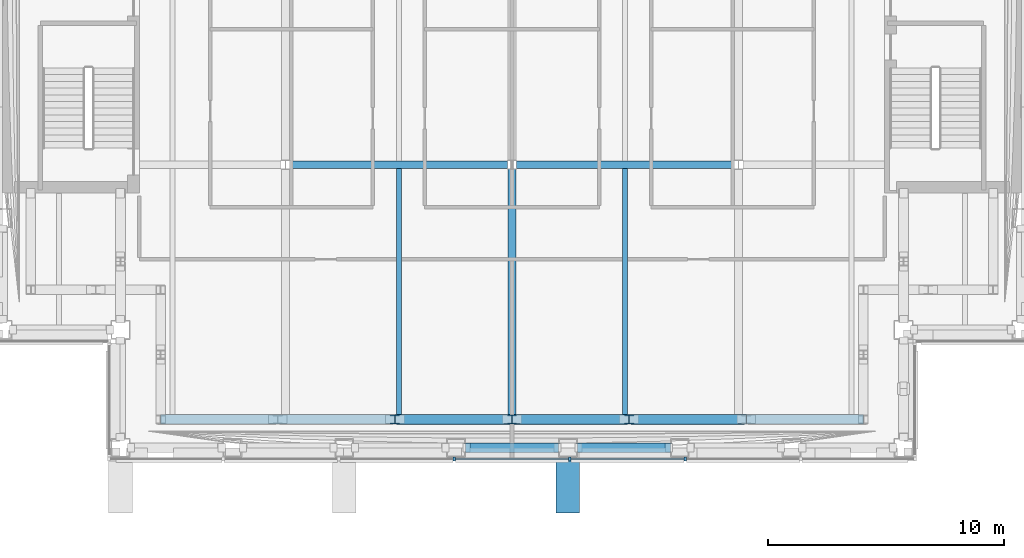
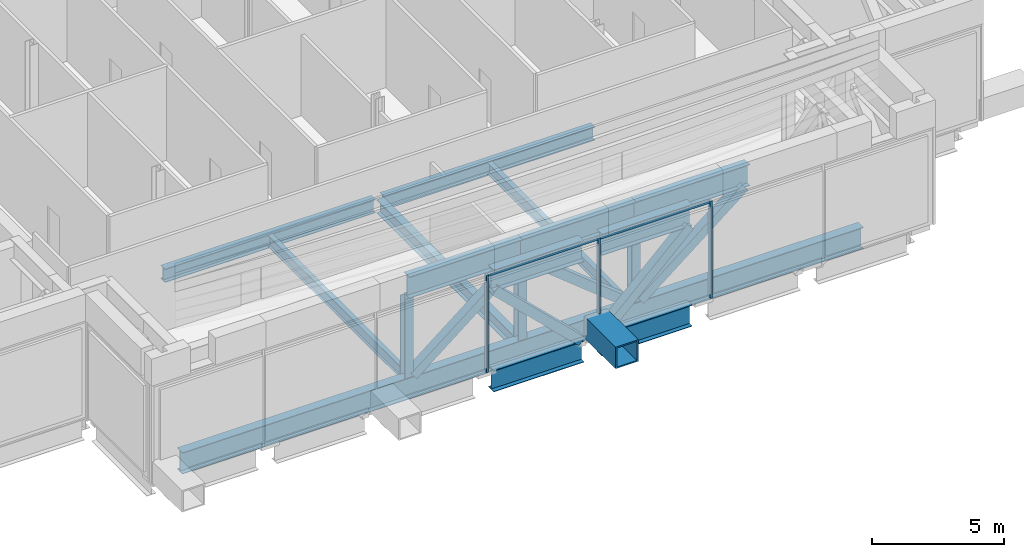
# One storey, part 4 of 29: 21 members, 6 beams, 1 element without a shape of its own.
"""IFC4 building model written with IfcOpenShell, lengths in metres."""

from ifc_helpers import new_model, si_unit, direction, frame, origin, origin_2d, place, context, subcontext, project, spatial, rectangle, hollow_rectangle, i_section, extrude, material, material_profile, profile_set, type_object, element, aggregate, save


model = new_model("IFC4")

# Units and contexts
model_context = context("Model", 3, precision=1e-05, world=origin(), true_north=direction((0.0, 1.0)))
body_context = subcontext(model_context, "Body", "Model", "MODEL_VIEW")
ifc_project = project(units=[si_unit("LENGTHUNIT", "METRE"), si_unit("AREAUNIT", "SQUARE_METRE"), si_unit("VOLUMEUNIT", "CUBIC_METRE"), si_unit("PLANEANGLEUNIT", "RADIAN"), si_unit("MASSUNIT", "GRAM", prefix="KILO")], contexts=[model_context])

# Site, building, storey
site_placement = place(None, origin())
site = spatial("IfcSite", under=ifc_project, at=site_placement, CompositionType="ELEMENT")
building_placement = place(site_placement, origin())
building = spatial("IfcBuilding", under=site, at=building_placement, Name="Cobrizo Arcos Hotel Tower", CompositionType="ELEMENT")
storey_placement = place(building_placement, frame((0.0, 0.0, 186.5)))
storey = spatial("IfcBuildingStorey", under=building, at=storey_placement, Name="L48", CompositionType="ELEMENT", Elevation=186.5)

# Beam
ifc_material_1 = material(Name="Steel ASTM A572 Grade 50", Category="steel")
ifc_material_profile_1 = material_profile(ifc_material_1, hollow_rectangle(XDim=1.0, YDim=1.0, WallThickness=0.06005859375, at=origin_2d()), Name="BOX 1000X1000X60")
ifc_profile_set_1 = profile_set([ifc_material_profile_1], Name="Steel ASTM A572 Grade 50")
beam_type_1 = type_object("IfcBeamType", Name="BOX 1000X1000X60 brace connector strut", PredefinedType="BEAM", material=ifc_profile_set_1)
beam_1_placement = place(storey_placement, frame((2.371337890625, -21.989990234375, 0.5), z_axis=(0.0, -1.0, 0.0), x_axis=(1.0, 0.0, 0.0)))
element("IfcBeam", 1, at=beam_1_placement, inside=storey, type_object=beam_type_1, Name="Perimeter brace stub BS1, zone Z3, south face, offset +2.37 m, L48", PredefinedType="BEAM", context=body_context, shape_type="SweptSolid", body=[
    extrude(hollow_rectangle(XDim=1.0, YDim=1.0, WallThickness=0.06005859375, at=origin_2d()), origin(), (0.0, 0.0, 1.0), 2.380126953125),
])

# Curtain wall, members
ifc_material_2 = material(Name="Aluminium 6063-T6 anodised bronze", Category="aluminium")
curtain_wall_type = type_object("IfcCurtainWallType", Name="CW-D plant louvre wall", PredefinedType="NOTDEFINED", material=ifc_material_2)
curtain_wall_placement = place(storey_placement, origin())
curtain_wall = element("IfcCurtainWall", 2, at=curtain_wall_placement, inside=storey, type_object=curtain_wall_type, Name="CW-D L48 S face", PredefinedType="NOTDEFINED")
ifc_material_profile_2 = material_profile(ifc_material_2, rectangle(XDim=0.14990234375, YDim=0.10009765625, at=origin_2d()), Name="CW-D mullion 150x100")
ifc_profile_set_2 = profile_set([ifc_material_profile_2], Name="Aluminium 6063-T6 anodised bronze")
member_type_1 = type_object("IfcMemberType", Name="CW-D mullion 150x100", PredefinedType="MULLION", material=ifc_profile_set_2)
member_1_placement = place(storey_placement, frame((-2.449951171875, -22.074951171875, 0.0), z_axis=(0.0, 0.0, 1.0), x_axis=(0.0, -1.0, 0.0)))
member_1 = element("IfcMember", 3, at=member_1_placement, type_object=member_type_1, Name="CW-D mullion 4", PredefinedType="MULLION", context=body_context, shape_type="SweptSolid", body=[
    extrude(rectangle(XDim=0.14990234375, YDim=0.10009765625, at=origin_2d()), origin(), (0.0, 0.0, 1.0), 4.5),
])
member_2_placement = place(storey_placement, frame((2.449951171875, -22.074951171875, 0.0), z_axis=(0.0, 0.0, 1.0), x_axis=(0.0, -1.0, 0.0)))
member_2 = element("IfcMember", 4, at=member_2_placement, type_object=member_type_1, Name="CW-D mullion 5", PredefinedType="MULLION", context=body_context, shape_type="SweptSolid", body=[
    extrude(rectangle(XDim=0.14990234375, YDim=0.10009765625, at=origin_2d()), origin(), (0.0, 0.0, 1.0), 4.5),
])
member_3_placement = place(storey_placement, frame((7.35009765625, -22.074951171875, 0.0), z_axis=(0.0, 0.0, 1.0), x_axis=(0.0, -1.0, 0.0)))
member_3 = element("IfcMember", 5, at=member_3_placement, type_object=member_type_1, Name="CW-D mullion 6", PredefinedType="MULLION", context=body_context, shape_type="SweptSolid", body=[
    extrude(rectangle(XDim=0.14990234375, YDim=0.10009765625, at=origin_2d()), origin(), (0.0, 0.0, 1.0), 4.5),
])
ifc_material_profile_3 = material_profile(ifc_material_2, rectangle(XDim=0.10009765625, YDim=0.10009765625, at=origin_2d()), Name="CW-D transom 100x100")
ifc_profile_set_3 = profile_set([ifc_material_profile_3], Name="Aluminium 6063-T6 anodised bronze")
member_type_2 = type_object("IfcMemberType", Name="CW-D transom 100x100", PredefinedType="USERDEFINED", material=ifc_profile_set_3)
member_4_placement = place(storey_placement, frame((-2.39990234375, -22.074951171875, 4.449951171875), z_axis=(1.0, 0.0, 0.0), x_axis=(0.0, 1.0, 0.0)))
member_4 = element("IfcMember", 6, at=member_4_placement, type_object=member_type_2, Name="CW-D transom 1669", ObjectType="TRANSOM", PredefinedType="USERDEFINED", context=body_context, shape_type="SweptSolid", body=[
    extrude(rectangle(XDim=0.10009765625, YDim=0.10009765625, at=origin_2d()), origin(), (0.0, 0.0, 1.0), 4.7998046875),
])
member_5_placement = place(storey_placement, frame((2.5, -22.074951171875, 4.449951171875), z_axis=(1.0, 0.0, 0.0), x_axis=(0.0, 1.0, 0.0)))
member_5 = element("IfcMember", 7, at=member_5_placement, type_object=member_type_2, Name="CW-D transom 1670", ObjectType="TRANSOM", PredefinedType="USERDEFINED", context=body_context, shape_type="SweptSolid", body=[
    extrude(rectangle(XDim=0.10009765625, YDim=0.10009765625, at=origin_2d()), origin(), (0.0, 0.0, 1.0), 4.800048828125),
])
aggregate(curtain_wall, [member_1, member_2, member_3, member_4, member_5])

# Members
ifc_material_3 = material(Name="Steel ASTM A500 Grade C", Category="steel")
ifc_material_profile_4 = material_profile(ifc_material_3, hollow_rectangle(XDim=0.406494140625, YDim=0.406494140625, WallThickness=0.014892578125, at=origin_2d()), Name="HSS16X16X5/8")
ifc_profile_set_4 = profile_set([ifc_material_profile_4], Name="Steel ASTM A500 Grade C")
member_type_3 = type_object("IfcMemberType", Name="HSS16X16X5/8 truss diagonal", PredefinedType="BRACE", material=ifc_profile_set_4)
member_6_placement = place(storey_placement, frame((-1.89111328125, -21.60009765625, 3.359375), z_axis=(0.718677668125, 0.0, -0.695343375131), x_axis=(0.0, 1.0, 0.0)))
element("IfcMember", 8, at=member_6_placement, inside=storey, type_object=member_type_3, Name="Belt truss diagonal TD1, L48, no. 004", PredefinedType="BRACE", context=body_context, shape_type="SweptSolid", body=[
    extrude(hollow_rectangle(XDim=0.406494140625, YDim=0.406494140625, WallThickness=0.014892578125, at=origin_2d()), origin(), (0.0, 0.0, 1.0), 5.2626953125),
])
member_7_placement = place(storey_placement, frame((2.85107421875, -21.60009765625, -0.300048828125), z_axis=(0.718744947416, 0.0, 0.695273831353), x_axis=(0.0, 1.0, 0.0)))
element("IfcMember", 9, at=member_7_placement, inside=storey, type_object=member_type_3, Name="Belt truss diagonal TD1, L48, no. 005", PredefinedType="BRACE", context=body_context, shape_type="SweptSolid", body=[
    extrude(hollow_rectangle(XDim=0.406494140625, YDim=0.406494140625, WallThickness=0.014892578125, at=origin_2d()), origin(), (0.0, 0.0, 1.0), 5.26318359375),
])
for number, where, z_axis, x_axis, name in (
    (10, (-4.76708984375, -20.39990234375, -0.300048828125), (0.780392402879, 0.0, 0.625290090701), (0.0, 1.0, 0.0), "Belt truss diagonal TD1, L48, no. 029"),
    (11, (0.199951171875, -20.39990234375, 3.359375), (0.780392402879, 0.0, -0.625290090701), (0.0, 1.0, 0.0), "Belt truss diagonal TD1, L48, no. 030"),
):
    element("IfcMember", number, at=place(storey_placement, frame(where, z_axis=z_axis, x_axis=x_axis)), inside=storey, type_object=member_type_3, Name=name, PredefinedType="BRACE", context=body_context, shape_type="SweptSolid", body=[
        extrude(hollow_rectangle(XDim=0.406494140625, YDim=0.406494140625, WallThickness=0.014892578125, at=origin_2d()), origin(), (0.0, 0.0, 1.0), 5.852294921875),
    ])
member_8_placement = place(storey_placement, frame((5.1669921875, -20.39990234375, -0.300048828125), z_axis=(0.780310829579, 0.0, 0.625391884534), x_axis=(0.0, 1.0, 0.0)))
element("IfcMember", 12, at=member_8_placement, inside=storey, type_object=member_type_3, Name="Belt truss diagonal TD1, L48, no. 031", PredefinedType="BRACE", context=body_context, shape_type="SweptSolid", body=[
    extrude(hollow_rectangle(XDim=0.406494140625, YDim=0.406494140625, WallThickness=0.014892578125, at=origin_2d()), origin(), (0.0, 0.0, 1.0), 5.851318359375),
])
ifc_material_4 = material(Name="Steel ASTM A992 Grade 50", Category="steel")
ifc_material_profile_5 = material_profile(ifc_material_4, i_section(OverallWidth=0.373291015625, OverallDepth=0.373291015625, WebThickness=0.016357421875, FlangeThickness=0.026123046875, at=origin_2d()), Name="W14X132")
ifc_profile_set_5 = profile_set([ifc_material_profile_5], Name="Steel ASTM A992 Grade 50")
member_type_4 = type_object("IfcMemberType", Name="W14X132 truss post", PredefinedType="POST", material=ifc_profile_set_5)
for number, where, z_axis, x_axis, name in (
    (13, (-4.967041015625, -20.39990234375, -0.300048828125), (0.0, 0.0, 1.0), (1.0, 0.0, 0.0), "Truss post TP1, L48, no. 003"),
    (14, (0.0, -20.39990234375, -0.300048828125), (0.0, 0.0, 1.0), (1.0, 0.0, 0.0), "Truss post TP1, L48, no. 004"),
    (15, (4.967041015625, -20.39990234375, -0.300048828125), (0.0, 0.0, 1.0), (1.0, 0.0, 0.0), "Truss post TP1, L48, no. 005"),
):
    element("IfcMember", number, at=place(storey_placement, frame(where, z_axis=z_axis, x_axis=x_axis)), inside=storey, type_object=member_type_4, Name=name, PredefinedType="POST", context=body_context, shape_type="SweptSolid", body=[
        extrude(i_section(OverallWidth=0.373291015625, OverallDepth=0.373291015625, WebThickness=0.016357421875, FlangeThickness=0.026123046875, at=origin_2d()), origin(), (0.0, 0.0, 1.0), 3.659423828125),
    ])

# Beams
ifc_material_profile_6 = material_profile(ifc_material_4, i_section(OverallWidth=0.209228515625, OverallDepth=0.533447265625, WebThickness=0.01025390625, FlangeThickness=0.015625, at=origin_2d()), Name="W21X62")
ifc_profile_set_6 = profile_set([ifc_material_profile_6], Name="Steel ASTM A992 Grade 50")
beam_type_2 = type_object("IfcBeamType", Name="W21X62 joist", PredefinedType="JOIST", material=ifc_profile_set_6)
for number, where, z_axis, x_axis, name in (
    (16, (-4.800048828125, -20.199462890625, -0.566650390625), (0.0, 1.0, 0.0), (-1.0, 0.0, 0.0), "Floor joist J1, L48, no. 009"),
    (17, (4.800048828125, -20.199462890625, -0.566650390625), (0.0, 1.0, 0.0), (-1.0, 0.0, 0.0), "Floor joist J1, L48, no. 013"),
):
    element("IfcBeam", number, at=place(storey_placement, frame(where, z_axis=z_axis, x_axis=x_axis)), inside=storey, type_object=beam_type_2, Name=name, PredefinedType="JOIST", context=body_context, shape_type="SweptSolid", body=[
        extrude(i_section(OverallWidth=0.209228515625, OverallDepth=0.533447265625, WebThickness=0.01025390625, FlangeThickness=0.015625, at=origin_2d()), origin(), (0.0, 0.0, 1.0), 10.435546875),
    ])
ifc_material_profile_7 = material_profile(ifc_material_4, i_section(OverallWidth=0.32763671875, OverallDepth=0.622314453125, WebThickness=0.015380859375, FlangeThickness=0.0244140625, at=origin_2d()), Name="W24X131")
ifc_profile_set_7 = profile_set([ifc_material_profile_7], Name="Steel ASTM A992 Grade 50")
beam_type_3 = type_object("IfcBeamType", Name="W24X131 girder", PredefinedType="BEAM", material=ifc_profile_set_7)
for number, where, z_axis, x_axis, name in (
    (18, (-9.413330078125, -9.60009765625, -0.611083984375), (1.0, 0.0, 0.0), (0.0, 1.0, 0.0), "Floor girder G1, L48, no. 002"),
    (19, (0.186767578125, -9.60009765625, -0.611083984375), (1.0, 0.0, 0.0), (0.0, 1.0, 0.0), "Floor girder G1, L48, no. 003"),
):
    element("IfcBeam", number, at=place(storey_placement, frame(where, z_axis=z_axis, x_axis=x_axis)), inside=storey, type_object=beam_type_3, Name=name, PredefinedType="BEAM", context=body_context, shape_type="SweptSolid", body=[
        extrude(i_section(OverallWidth=0.32763671875, OverallDepth=0.622314453125, WebThickness=0.015380859375, FlangeThickness=0.0244140625, at=origin_2d()), origin(), (0.0, 0.0, 1.0), 9.2265625),
    ])
beam_2_placement = place(storey_placement, frame((0.0, -20.199462890625, -0.611083984375), z_axis=(0.0, 1.0, 0.0), x_axis=(-1.0, 0.0, 0.0)))
element("IfcBeam", 20, at=beam_2_placement, inside=storey, type_object=beam_type_3, Name="Floor girder G1, L48, no. 017", PredefinedType="BEAM", context=body_context, shape_type="SweptSolid", body=[
    extrude(i_section(OverallWidth=0.32763671875, OverallDepth=0.622314453125, WebThickness=0.015380859375, FlangeThickness=0.0244140625, at=origin_2d()), origin(), (0.0, 0.0, 1.0), 10.412841796875),
])

# Members
ifc_material_profile_8 = material_profile(ifc_material_4, i_section(OverallWidth=0.4013671875, OverallDepth=0.990478515625, WebThickness=0.0166015625, FlangeThickness=0.025390625, at=origin_2d()), Name="W40X215")
ifc_profile_set_8 = profile_set([ifc_material_profile_8], Name="Steel ASTM A992 Grade 50")
member_type_5 = type_object("IfcMemberType", Name="W40X215 belt truss chord", PredefinedType="CHORD", material=ifc_profile_set_8)
member_9_placement = place(storey_placement, frame((-1.970947265625, -21.60009765625, -0.79541015625), z_axis=(1.0, 0.0, 0.0), x_axis=(0.0, 1.0, 0.0)))
element("IfcMember", 21, at=member_9_placement, inside=storey, type_object=member_type_5, Name="Belt truss bottom chord TC1, L48, no. 004", PredefinedType="CHORD", context=body_context, shape_type="SweptSolid", body=[
    extrude(i_section(OverallWidth=0.4013671875, OverallDepth=0.990478515625, WebThickness=0.0166015625, FlangeThickness=0.025390625, at=origin_2d()), origin(), (0.0, 0.0, 1.0), 3.94189453125),
])
member_10_placement = place(storey_placement, frame((2.77099609375, -21.60009765625, -0.79541015625), z_axis=(1.0, 0.0, 0.0), x_axis=(0.0, 1.0, 0.0)))
element("IfcMember", 22, at=member_10_placement, inside=storey, type_object=member_type_5, Name="Belt truss bottom chord TC1, L48, no. 005", PredefinedType="CHORD", context=body_context, shape_type="SweptSolid", body=[
    extrude(i_section(OverallWidth=0.4013671875, OverallDepth=0.990478515625, WebThickness=0.0166015625, FlangeThickness=0.025390625, at=origin_2d()), origin(), (0.0, 0.0, 1.0), 3.943115234375),
])
member_11_placement = place(storey_placement, frame((-1.970947265625, -21.60009765625, 3.854736328125), z_axis=(1.0, 0.0, 0.0), x_axis=(0.0, 1.0, 0.0)))
element("IfcMember", 23, at=member_11_placement, inside=storey, type_object=member_type_5, Name="Belt truss top chord TC1, L48, no. 004", PredefinedType="CHORD", context=body_context, shape_type="SweptSolid", body=[
    extrude(i_section(OverallWidth=0.4013671875, OverallDepth=0.990478515625, WebThickness=0.0166015625, FlangeThickness=0.025390625, at=origin_2d()), origin(), (0.0, 0.0, 1.0), 3.94189453125),
])
member_12_placement = place(storey_placement, frame((2.77099609375, -21.60009765625, 3.854736328125), z_axis=(1.0, 0.0, 0.0), x_axis=(0.0, 1.0, 0.0)))
element("IfcMember", 24, at=member_12_placement, inside=storey, type_object=member_type_5, Name="Belt truss top chord TC1, L48, no. 005", PredefinedType="CHORD", context=body_context, shape_type="SweptSolid", body=[
    extrude(i_section(OverallWidth=0.4013671875, OverallDepth=0.990478515625, WebThickness=0.0166015625, FlangeThickness=0.025390625, at=origin_2d()), origin(), (0.0, 0.0, 1.0), 3.943115234375),
])
member_13_placement = place(storey_placement, frame((-14.89990234375, -20.39990234375, -0.79541015625), z_axis=(1.0, 0.0, 0.0), x_axis=(0.0, 1.0, 0.0)))
element("IfcMember", 25, at=member_13_placement, inside=storey, type_object=member_type_5, Name="Belt truss bottom chord TC1, L48, no. 027", PredefinedType="CHORD", context=body_context, shape_type="SweptSolid", body=[
    extrude(i_section(OverallWidth=0.4013671875, OverallDepth=0.990478515625, WebThickness=0.0166015625, FlangeThickness=0.025390625, at=origin_2d()), origin(), (0.0, 0.0, 1.0), 29.7998046875),
])
for number, where, z_axis, x_axis, name in (
    (26, (-4.967041015625, -20.39990234375, 3.854736328125), (1.0, 0.0, 0.0), (0.0, 1.0, 0.0), "Belt truss top chord TC1, L48, no. 029"),
    (27, (0.0, -20.39990234375, 3.854736328125), (1.0, 0.0, 0.0), (0.0, 1.0, 0.0), "Belt truss top chord TC1, L48, no. 030"),
):
    element("IfcMember", number, at=place(storey_placement, frame(where, z_axis=z_axis, x_axis=x_axis)), inside=storey, type_object=member_type_5, Name=name, PredefinedType="CHORD", context=body_context, shape_type="SweptSolid", body=[
        extrude(i_section(OverallWidth=0.4013671875, OverallDepth=0.990478515625, WebThickness=0.0166015625, FlangeThickness=0.025390625, at=origin_2d()), origin(), (0.0, 0.0, 1.0), 4.967041015625),
    ])
member_14_placement = place(storey_placement, frame((4.967041015625, -20.39990234375, 3.854736328125), z_axis=(1.0, 0.0, 0.0), x_axis=(0.0, 1.0, 0.0)))
element("IfcMember", 28, at=member_14_placement, inside=storey, type_object=member_type_5, Name="Belt truss top chord TC1, L48, no. 031", PredefinedType="CHORD", context=body_context, shape_type="SweptSolid", body=[
    extrude(i_section(OverallWidth=0.4013671875, OverallDepth=0.990478515625, WebThickness=0.0166015625, FlangeThickness=0.025390625, at=origin_2d()), origin(), (0.0, 0.0, 1.0), 4.966064453125),
])

save(model, "model.ifc")
